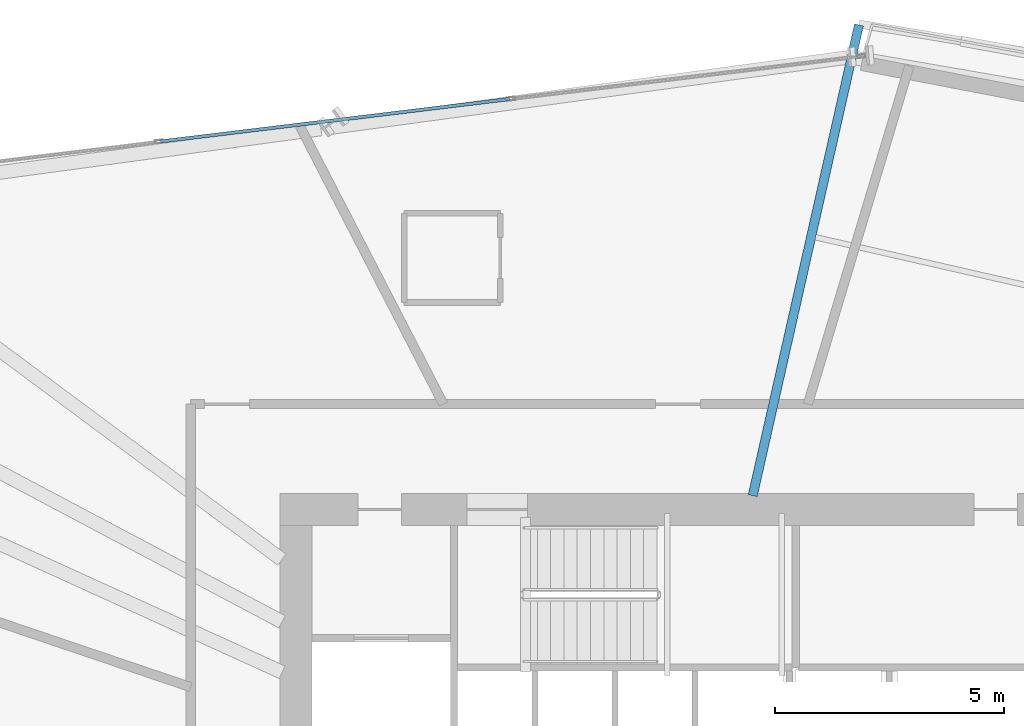
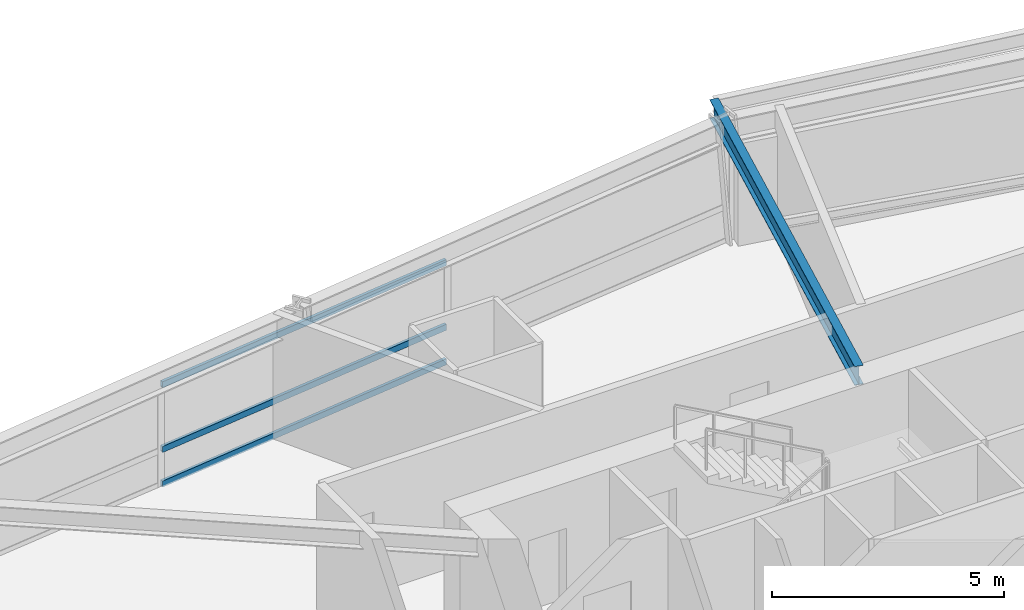
# One storey, part 7 of 18: 3 members, 1 beam, 1 element without a shape of its own.
"""IFC4 building model written with IfcOpenShell, lengths in metres."""

from ifc_helpers import new_model, si_unit, direction, frame, origin, origin_2d, place, context, subcontext, project, spatial, hollow_rectangle, i_section, extrude, source, transform, mapped, material, material_profile, profile_set, type_object, element, aggregate, save


model = new_model("IFC4")

# Units and contexts
model_context = context("Model", 3, precision=1e-05, world=origin(), true_north=direction((0.0, 1.0)))
body_context = subcontext(model_context, "Body", "Model", "MODEL_VIEW")
ifc_project = project(units=[si_unit("LENGTHUNIT", "METRE"), si_unit("AREAUNIT", "SQUARE_METRE"), si_unit("VOLUMEUNIT", "CUBIC_METRE"), si_unit("PLANEANGLEUNIT", "RADIAN"), si_unit("MASSUNIT", "GRAM", prefix="KILO")], contexts=[model_context])

# Site, building, storey
site_placement = place(None, origin())
site = spatial("IfcSite", under=ifc_project, at=site_placement, CompositionType="ELEMENT")
building_placement = place(site_placement, origin())
building = spatial("IfcBuilding", under=site, at=building_placement, Name="Olszyna Solenne Hotel", CompositionType="ELEMENT")
storey_placement = place(building_placement, frame((0.0, 0.0, 123.449951171875)))
storey = spatial("IfcBuildingStorey", under=building, at=storey_placement, Name="L32", CompositionType="ELEMENT", Elevation=123.449951171875)

# Beam
ifc_material_1 = material(Name="Steel S355J2", Category="steel")
ifc_material_profile_1 = material_profile(ifc_material_1, i_section(OverallWidth=0.199951171875, OverallDepth=0.5, WebThickness=0.01025390625, FlangeThickness=0.01611328125, at=origin_2d()), Name="IPE 500", Category="load-bearing")
ifc_profile_set_1 = profile_set([ifc_material_profile_1], Name="Steel S355J2")
beam_type = type_object("IfcBeamType", Name="BM-F3", PredefinedType="BEAM", material=ifc_profile_set_1)
shared_shape_1 = source(origin(), body_context, "Body", "SweptSolid", [
    extrude(i_section(OverallWidth=0.199951171875, OverallDepth=0.5, WebThickness=0.01025390625, FlangeThickness=0.01611328125, at=origin_2d()), origin(), (0.0, 0.0, 1.0), 10.5361328125),
])
beam_placement = place(storey_placement, frame((42.041015625, 44.62890625, 3.050048828125), z_axis=(-0.220177658931, -0.975459788258, 0.0), x_axis=(0.975459788258, -0.220177658931, 0.0)))
element("IfcBeam", 1, at=beam_placement, inside=storey, type_object=beam_type, Name="Radial floor girder BM-F3 B-L32-0971", PredefinedType="BEAM", context=body_context, shape_type="MappedRepresentation", body=[
    mapped(shared_shape_1, transform((0.0, 0.0, 0.0), x_axis=(1.0, 0.0, 0.0), y_axis=(0.0, 1.0, 0.0), z_axis=(0.0, 0.0, 1.0), scale=1.0)),
])

# Curtain wall, members
ifc_material_2 = material(Name="Anodised bronze aluminium", Category="aluminium")
curtain_wall_type = type_object("IfcCurtainWallType", Name="CW-SYS-3", PredefinedType="NOTDEFINED", material=ifc_material_2)
curtain_wall_placement = place(storey_placement, origin())
curtain_wall = element("IfcCurtainWall", 2, at=curtain_wall_placement, inside=storey, type_object=curtain_wall_type, Name="Unitised curtain wall CW-SYS-3 CW-L32-02", PredefinedType="NOTDEFINED")
ifc_material_profile_2 = material_profile(ifc_material_2, hollow_rectangle(XDim=0.074951171875, YDim=0.159912109375, WallThickness=0.00390625, at=origin_2d()), Name="TRAN 160x75x4", Category="load-bearing")
ifc_profile_set_2 = profile_set([ifc_material_profile_2], Name="Anodised bronze aluminium")
member_type = type_object("IfcMemberType", Name="CW-T1", PredefinedType="USERDEFINED", material=ifc_profile_set_2)
shared_shape_2 = source(origin(), body_context, "Body", "SweptSolid", [
    extrude(hollow_rectangle(XDim=0.074951171875, YDim=0.159912109375, WallThickness=0.00390625, at=origin_2d()), origin(), (0.0, 0.0, 1.0), 7.667724609375),
])
member_1_placement = place(storey_placement, frame((26.796630859375, 42.084228515625, 0.03759765625), z_axis=(0.992669095218, 0.12086383826, 0.0), x_axis=(-0.12086383826, 0.992669095218, 0.0)))
member_1 = element("IfcMember", 3, at=member_1_placement, type_object=member_type, Name="Curtain-wall transom CW-T1 CT-L32-02-04", ObjectType="TRANSOM", PredefinedType="USERDEFINED", context=body_context, shape_type="MappedRepresentation", body=[
    mapped(shared_shape_2, transform((0.0, 0.0, 0.0), x_axis=(1.0, 0.0, 0.0), y_axis=(0.0, 1.0, 0.0), z_axis=(0.0, 0.0, 1.0), scale=1.0)),
])
member_2_placement = place(storey_placement, frame((26.796630859375, 42.084228515625, 0.949951171875), z_axis=(0.992669095218, 0.12086383826, 0.0), x_axis=(-0.12086383826, 0.992669095218, 0.0)))
member_2 = element("IfcMember", 4, at=member_2_placement, type_object=member_type, Name="Curtain-wall transom CW-T1 CT-L32-02-05", ObjectType="TRANSOM", PredefinedType="USERDEFINED", context=body_context, shape_type="MappedRepresentation", body=[
    mapped(shared_shape_2, transform((0.0, 0.0, 0.0), x_axis=(1.0, 0.0, 0.0), y_axis=(0.0, 1.0, 0.0), z_axis=(0.0, 0.0, 1.0), scale=1.0)),
])
member_3_placement = place(storey_placement, frame((26.796630859375, 42.084228515625, 2.654541015625), z_axis=(0.992669095218, 0.12086383826, 0.0), x_axis=(-0.12086383826, 0.992669095218, 0.0)))
member_3 = element("IfcMember", 5, at=member_3_placement, type_object=member_type, Name="Curtain-wall transom CW-T1 CT-L32-02-06", ObjectType="TRANSOM", PredefinedType="USERDEFINED", context=body_context, shape_type="MappedRepresentation", body=[
    mapped(shared_shape_2, transform((0.0, 0.0, 0.0), x_axis=(1.0, 0.0, 0.0), y_axis=(0.0, 1.0, 0.0), z_axis=(0.0, 0.0, 1.0), scale=1.0)),
])
aggregate(curtain_wall, [member_1, member_2, member_3])

save(model, "model.ifc")
